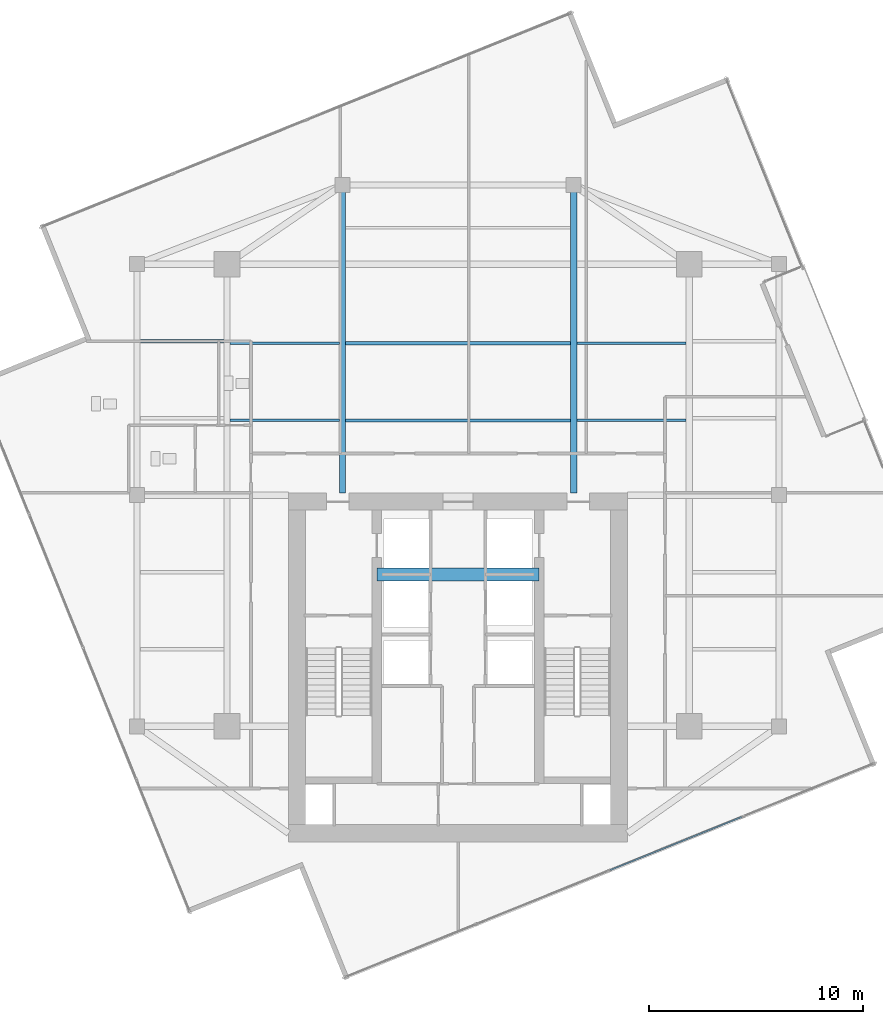
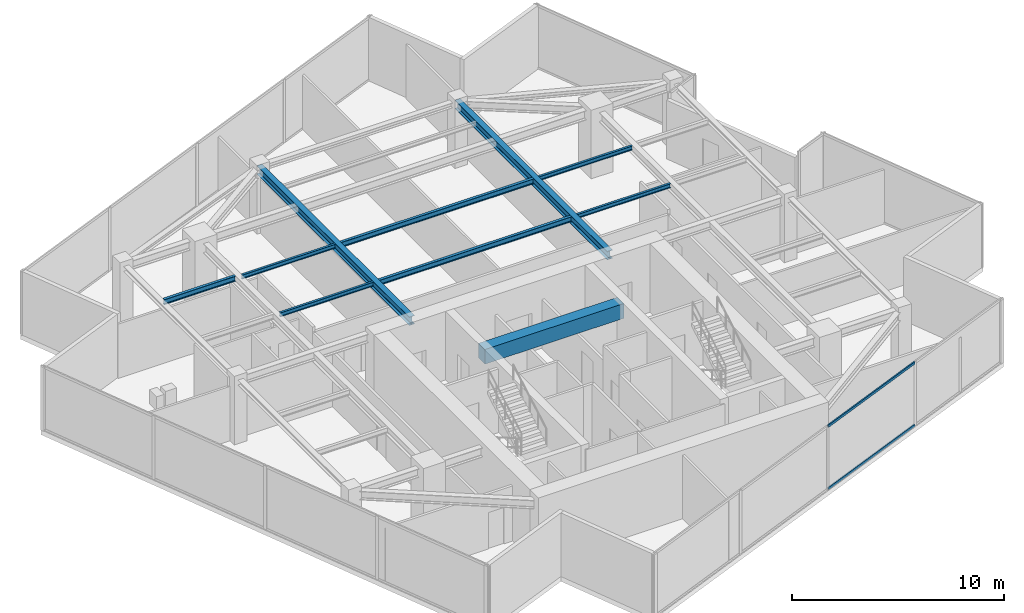
# One storey, part 8 of 21: 10 beams, 2 members, 1 element without a shape of its own.
"""IFC4 building model written with IfcOpenShell, lengths in metres."""

from ifc_helpers import new_model, si_unit, direction, frame, origin, origin_2d, place, context, subcontext, project, spatial, rectangle, hollow_rectangle, i_section, extrude, source, transform, mapped, material, material_profile, profile_set, type_object, type_shapes, element, aggregate, save


model = new_model("IFC4")

# Units and contexts
model_context = context("Model", 3, precision=1e-05, world=origin(), true_north=direction((0.0, 1.0)))
body_context = subcontext(model_context, "Body", "Model", "MODEL_VIEW")
ifc_project = project(units=[si_unit("LENGTHUNIT", "METRE"), si_unit("AREAUNIT", "SQUARE_METRE"), si_unit("VOLUMEUNIT", "CUBIC_METRE"), si_unit("PLANEANGLEUNIT", "RADIAN"), si_unit("MASSUNIT", "GRAM", prefix="KILO")], contexts=[model_context])

# Site, building, storey
site_placement = place(None, origin())
site = spatial("IfcSite", under=ifc_project, at=site_placement, CompositionType="ELEMENT")
building_placement = place(site_placement, origin())
building = spatial("IfcBuilding", under=site, at=building_placement, Name="Krantzveldt Concourse Tower", CompositionType="ELEMENT")
storey_placement = place(building_placement, frame((0.0, 0.0, 323.75)))
storey = spatial("IfcBuildingStorey", under=building, at=storey_placement, Name="L79", CompositionType="ELEMENT", Elevation=323.75)

# Beams
ifc_material_1 = material(Name="Steel S355JR", Category="steel")
ifc_material_profile_1 = material_profile(ifc_material_1, i_section(OverallWidth=0.300048828125, OverallDepth=0.489990234375, WebThickness=0.011962890625, FlangeThickness=0.02294921875, FilletRadius=0.027099609375, at=origin_2d()), Name="Steel S355JR", Category="steel")
ifc_profile_set_1 = profile_set([ifc_material_profile_1], Name="Steel S355JR - HEA 500")
beam_type_1 = type_object("IfcBeamType", Name="BM-B-HEA500", PredefinedType="BEAM", material=ifc_profile_set_1)
shared_shape_1 = source(origin(), body_context, "Body", "SweptSolid", [
    extrude(i_section(OverallWidth=0.300048828125, OverallDepth=0.489990234375, WebThickness=0.011962890625, FlangeThickness=0.02294921875, FilletRadius=0.027099609375, at=origin_2d()), origin(), (0.0, 0.0, 1.0), 14.39990234375),
])
type_shapes(beam_type_1, [shared_shape_1])
for number, where, z_axis, x_axis, name in (
    (1, (30.60009765625, 26.800048828125, 3.425048828125), (0.0, 1.0, 0.0), (-1.0, 0.0, 0.0), "L79 Tower Girder BG-CNW"),
    (2, (41.39990234375, 26.800048828125, 3.425048828125), (0.0, 1.0, 0.0), (-1.0, 0.0, 0.0), "L79 Tower Girder BG-CNE"),
):
    element("IfcBeam", number, at=place(storey_placement, frame(where, z_axis=z_axis, x_axis=x_axis)), inside=storey, type_object=beam_type_1, Name=name, PredefinedType="BEAM", context=body_context, shape_type="MappedRepresentation", body=[
        mapped(shared_shape_1, transform((0.0, 0.0, 0.0), x_axis=(1.0, 0.0, 0.0), y_axis=(0.0, 1.0, 0.0), z_axis=(0.0, 0.0, 1.0), scale=1.0)),
    ])
ifc_material_profile_2 = material_profile(ifc_material_1, i_section(OverallWidth=0.14990234375, OverallDepth=0.300048828125, WebThickness=0.007080078125, FlangeThickness=0.0107421875, FilletRadius=0.014892578125, at=origin_2d()), Name="Steel S355JR", Category="steel")
ifc_profile_set_2 = profile_set([ifc_material_profile_2], Name="Steel S355JR - IPE 300")
beam_type_2 = type_object("IfcBeamType", Name="BM-J-IPE300", PredefinedType="JOIST", material=ifc_profile_set_2)
shared_shape_2 = source(origin(), body_context, "Body", "SweptSolid", [
    extrude(i_section(OverallWidth=0.14990234375, OverallDepth=0.300048828125, WebThickness=0.007080078125, FlangeThickness=0.0107421875, FilletRadius=0.014892578125, at=origin_2d()), origin(), (0.0, 0.0, 1.0), 10.5),
])
for number, where, z_axis, x_axis, name in (
    (3, (30.75, 30.199951171875, 3.52001953125), (1.0, 0.0, 0.0), (0.0, 1.0, 0.0), "L79 Secondary Floor Joist JN-C1"),
    (4, (30.75, 33.800048828125, 3.52001953125), (1.0, 0.0, 0.0), (0.0, 1.0, 0.0), "L79 Secondary Floor Joist JN-C2"),
):
    element("IfcBeam", number, at=place(storey_placement, frame(where, z_axis=z_axis, x_axis=x_axis)), inside=storey, type_object=beam_type_2, Name=name, PredefinedType="JOIST", context=body_context, shape_type="MappedRepresentation", body=[
        mapped(shared_shape_2, transform((0.0, 0.0, 0.0), x_axis=(1.0, 0.0, 0.0), y_axis=(0.0, 1.0, 0.0), z_axis=(0.0, 0.0, 1.0), scale=1.0)),
    ])
ifc_material_2 = material(Name="Concrete C50/60", Category="concrete")
ifc_material_profile_3 = material_profile(ifc_material_2, rectangle(XDim=0.60009765625, YDim=0.85009765625, at=origin_2d()), Name="Concrete C50/60", Category="concrete")
ifc_profile_set_3 = profile_set([ifc_material_profile_3], Name="Concrete C50/60 - RC-CB 600x850")
beam_type_3 = type_object("IfcBeamType", Name="BM-CB-850", PredefinedType="LINTEL", material=ifc_profile_set_3)
shared_shape_3 = source(origin(), body_context, "Body", "SweptSolid", [
    extrude(rectangle(XDim=0.60009765625, YDim=0.85009765625, at=origin_2d()), origin(), (0.0, 0.0, 1.0), 7.580078125),
])
type_shapes(beam_type_3, [shared_shape_3])
beam_1_placement = place(storey_placement, frame((32.2099609375, 23.0, 3.2451171875), z_axis=(1.0, 0.0, 0.0), x_axis=(0.0, 1.0, 0.0)))
element("IfcBeam", 5, at=beam_1_placement, inside=storey, type_object=beam_type_3, Name="CB-L79-01", PredefinedType="LINTEL", context=body_context, shape_type="MappedRepresentation", body=[
    mapped(shared_shape_3, transform((0.0, 0.0, 0.0), x_axis=(1.0, 0.0, 0.0), y_axis=(0.0, 1.0, 0.0), z_axis=(0.0, 0.0, 1.0), scale=1.0)),
])
ifc_material_profile_4 = material_profile(ifc_material_1, i_section(OverallWidth=0.1201171875, OverallDepth=0.239990234375, WebThickness=0.006103515625, FlangeThickness=0.009765625, FilletRadius=0.014892578125, at=origin_2d()), Name="Steel S355JR", Category="steel")
ifc_profile_set_4 = profile_set([ifc_material_profile_4], Name="Steel S355JR - IPE 240")
beam_type_4 = type_object("IfcBeamType", Name="BM-LN-IPE240", PredefinedType="LINTEL", material=ifc_profile_set_4)
shared_shape_4 = source(origin(), body_context, "Body", "SweptSolid", [
    extrude(i_section(OverallWidth=0.1201171875, OverallDepth=0.239990234375, WebThickness=0.006103515625, FlangeThickness=0.009765625, FilletRadius=0.014892578125, at=origin_2d()), origin(), (0.0, 0.0, 1.0), 5.099853515625),
])
type_shapes(beam_type_4, [shared_shape_4])
for number, where, z_axis, x_axis, name in (
    (6, (25.35009765625, 30.199951171875, 3.550048828125), (1.0, 0.0, 0.0), (0.0, 1.0, 0.0), "L79 Secondary Floor Joist JN-W1"),
    (7, (25.35009765625, 33.800048828125, 3.550048828125), (1.0, 0.0, 0.0), (0.0, 1.0, 0.0), "L79 Secondary Floor Joist JN-W2"),
    (8, (41.550048828125, 30.199951171875, 3.550048828125), (1.0, 0.0, 0.0), (0.0, 1.0, 0.0), "L79 Secondary Floor Joist JN-E1"),
    (9, (41.550048828125, 33.800048828125, 3.550048828125), (1.0, 0.0, 0.0), (0.0, 1.0, 0.0), "L79 Secondary Floor Joist JN-E2"),
):
    element("IfcBeam", number, at=place(storey_placement, frame(where, z_axis=z_axis, x_axis=x_axis)), inside=storey, type_object=beam_type_4, Name=name, PredefinedType="LINTEL", context=body_context, shape_type="MappedRepresentation", body=[
        mapped(shared_shape_4, transform((0.0, 0.0, 0.0), x_axis=(1.0, 0.0, 0.0), y_axis=(0.0, 1.0, 0.0), z_axis=(0.0, 0.0, 1.0), scale=1.0)),
    ])
shared_shape_5 = source(origin(), body_context, "Body", "SweptSolid", [
    extrude(i_section(OverallWidth=0.14990234375, OverallDepth=0.300048828125, WebThickness=0.007080078125, FlangeThickness=0.0107421875, FilletRadius=0.014892578125, at=origin_2d()), origin(), (0.0, 0.0, 1.0), 3.900146484375),
])
type_shapes(beam_type_2, [shared_shape_2, shared_shape_5])
beam_2_placement = place(storey_placement, frame((21.14990234375, 33.89990234375, 3.52001953125), z_axis=(1.0, 0.0, 0.0), x_axis=(0.0, 1.0, 0.0)))
element("IfcBeam", 10, at=beam_2_placement, inside=storey, type_object=beam_type_2, Name="L79 Secondary Floor Joist JW-4", PredefinedType="JOIST", context=body_context, shape_type="MappedRepresentation", body=[
    mapped(shared_shape_5, transform((0.0, 0.0, 0.0), x_axis=(1.0, 0.0, 0.0), y_axis=(0.0, 1.0, 0.0), z_axis=(0.0, 0.0, 1.0), scale=1.0)),
])

# Curtain wall, members
ifc_material_3 = material(Name="Anodised aluminium 6063-T6", Category="aluminium")
curtain_wall_type = type_object("IfcCurtainWallType", Name="CW4", PredefinedType="USERDEFINED", material=ifc_material_3)
curtain_wall_placement = place(storey_placement, origin())
curtain_wall = element("IfcCurtainWall", 11, at=curtain_wall_placement, inside=storey, type_object=curtain_wall_type, Name="CW-L79-F07", ObjectType="UNITISED CURTAIN WALL", PredefinedType="USERDEFINED")
ifc_material_profile_5 = material_profile(ifc_material_3, hollow_rectangle(XDim=0.070068359375, YDim=0.139892578125, WallThickness=0.0048828125, at=origin_2d()), Name="Anodised aluminium 6063-T6", Category="aluminium")
ifc_profile_set_5 = profile_set([ifc_material_profile_5], Name="Anodised aluminium 6063-T6 - ALU-TRAN 140x70x5")
member_type = type_object("IfcMemberType", Name="CW-TRN-150", PredefinedType="USERDEFINED", material=ifc_profile_set_5)
shared_shape_6 = source(origin(), body_context, "Body", "SweptSolid", [
    extrude(hollow_rectangle(XDim=0.070068359375, YDim=0.139892578125, WallThickness=0.0048828125, at=origin_2d()), origin(), (0.0, 0.0, 1.0), 6.6298828125),
])
type_shapes(member_type, [shared_shape_6])
member_1_placement = place(storey_placement, frame((43.1162109375, 9.18017578125, 0.034912109375), z_axis=(0.92718355196, 0.374607342392, 0.0), x_axis=(-0.374607342392, 0.92718355196, 0.0)))
member_1 = element("IfcMember", 12, at=member_1_placement, type_object=member_type, Name="CW-Z56 transom 3.1", ObjectType="TRANSOM", PredefinedType="USERDEFINED", context=body_context, shape_type="MappedRepresentation", body=[
    mapped(shared_shape_6, transform((0.0, 0.0, 0.0), x_axis=(1.0, 0.0, 0.0), y_axis=(0.0, 1.0, 0.0), z_axis=(0.0, 0.0, 1.0), scale=1.0)),
])
member_2_placement = place(storey_placement, frame((43.1162109375, 9.18017578125, 3.635009765625), z_axis=(0.92718355196, 0.374607342392, 0.0), x_axis=(-0.374607342392, 0.92718355196, 0.0)))
member_2 = element("IfcMember", 13, at=member_2_placement, type_object=member_type, Name="CW-Z56 transom 3.2", ObjectType="TRANSOM", PredefinedType="USERDEFINED", context=body_context, shape_type="MappedRepresentation", body=[
    mapped(shared_shape_6, transform((0.0, 0.0, 0.0), x_axis=(1.0, 0.0, 0.0), y_axis=(0.0, 1.0, 0.0), z_axis=(0.0, 0.0, 1.0), scale=1.0)),
])
aggregate(curtain_wall, [member_1, member_2])

save(model, "model.ifc")
